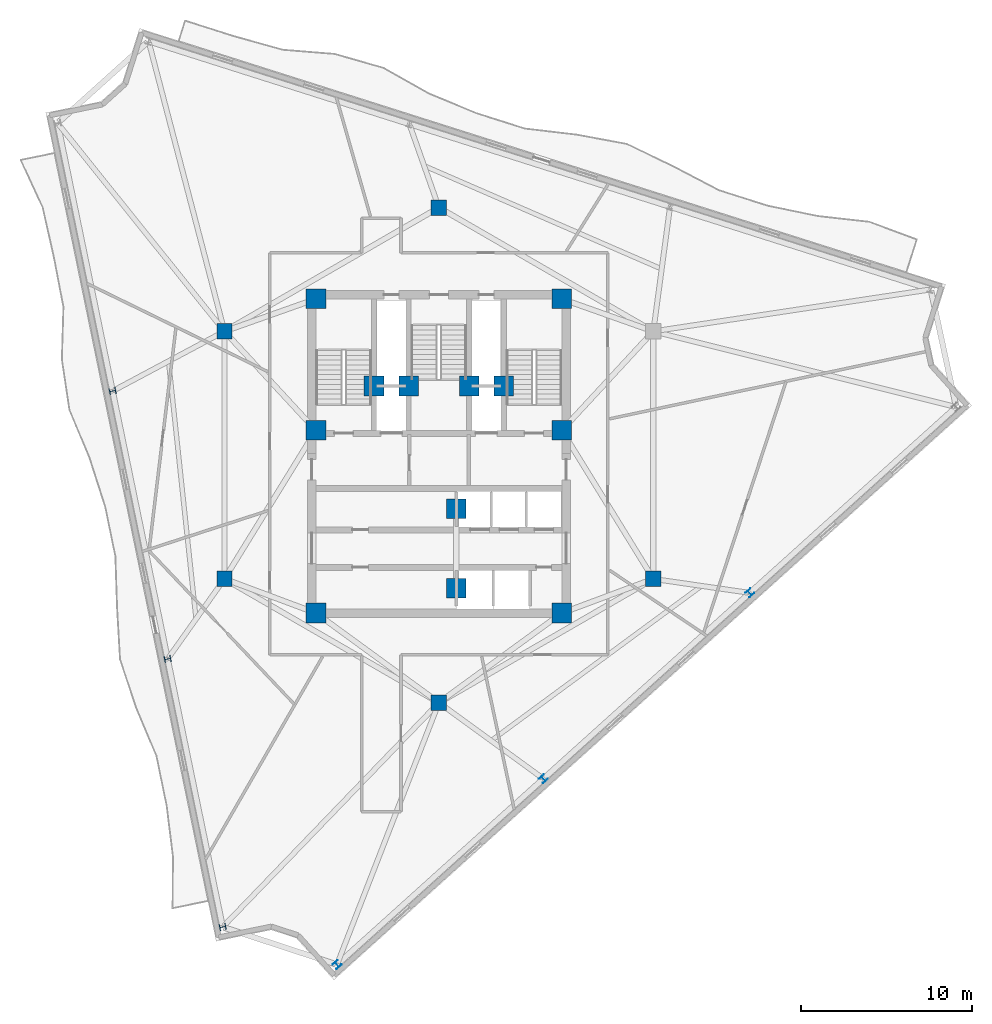
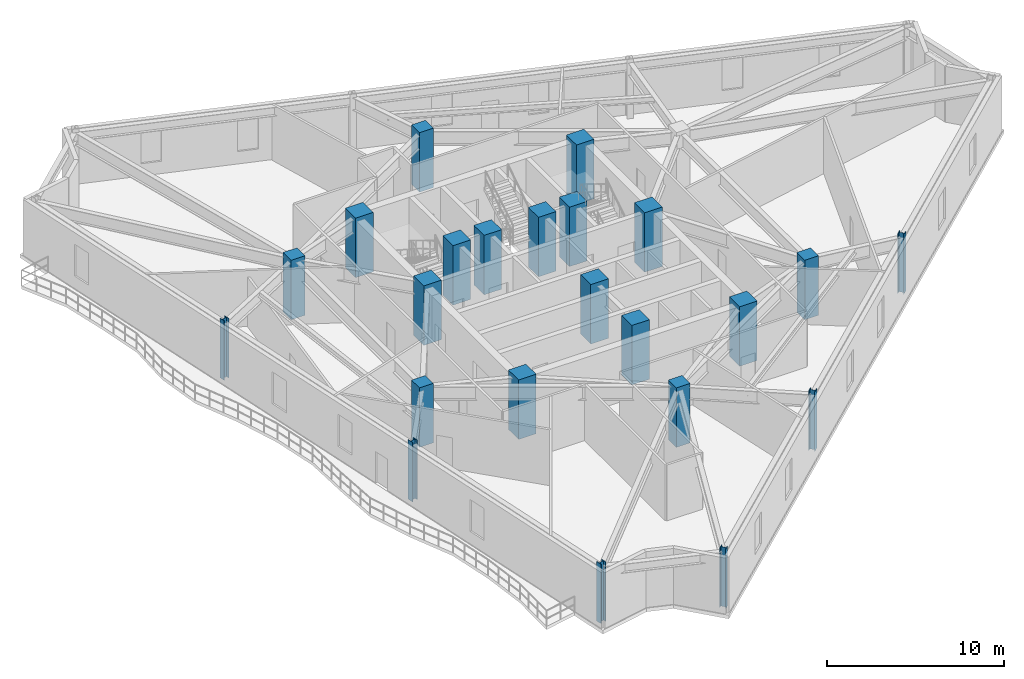
# One storey, part 1 of 11: 23 columns.
"""IFC4 building model written with IfcOpenShell, lengths in metres."""

import ifcopenshell
import ifcopenshell.guid

model = None  # the IFC model being written
_history = None  # IfcOwnerHistory: only IFC2X3 demands one
_inside = {}  # id of a spatial element -> (the spatial element, [elements in it])
_under = {}  # id of a project, library or spatial element -> (it, [spatial elements below it])
_declared = {}  # id of a project -> (the project, [libraries it declares])
_typed = {}  # id of a type object -> (the type object, [elements of that type])
_made_of = {}  # id of a material, layer set ... -> (it, [elements and type objects made of it])


def new_model(schema):
    """Start an empty IFC model of exactly this schema.

    Asked for "IFC4X3", IfcOpenShell would pick the latest addendum, in which some entities
    have other attributes; the version numbers below select the first issue.
    IFC2X3 requires an IfcOwnerHistory on every rooted entity: one is made here for all.
    """
    global model, _history
    if schema == "IFC4X3":
        model = ifcopenshell.file(schema_version=(4, 3, 0, 0))
    else:
        model = ifcopenshell.file(schema=schema)
    _inside.clear()
    _under.clear()
    _declared.clear()
    _typed.clear()
    _made_of.clear()
    _history = None
    if model.schema == "IFC2X3":
        org = make("IfcOrganization", Name="unknown")
        user = make(
            "IfcPersonAndOrganization",
            ThePerson=make("IfcPerson", FamilyName="unknown"),
            TheOrganization=org,
        )
        app = make(
            "IfcApplication",
            ApplicationDeveloper=org,
            Version="unknown",
            ApplicationFullName="unknown",
            ApplicationIdentifier="unknown",
        )
        _history = make(
            "IfcOwnerHistory",
            OwningUser=user,
            OwningApplication=app,
            ChangeAction="ADDED",
            CreationDate=0,
        )
    return model


def make(cls, **values):
    """One entity of the class cls with the attributes given. An attribute that is None is left unset."""
    return model.create_entity(
        cls, **{name: value for name, value in values.items() if value is not None}
    )


def rooted(cls, **values):
    """An entity with a GlobalId (a new one), such as an element, a storey or a relation."""
    return make(cls, GlobalId=ifcopenshell.guid.new(), OwnerHistory=_history, **values)


def si_unit(unit_type, name, prefix=None):
    """IfcSIUnit, for example si_unit("LENGTHUNIT", "METRE", prefix="MILLI")."""
    return make("IfcSIUnit", UnitType=unit_type, Prefix=prefix, Name=name)


def assignment(units):
    """IfcUnitAssignment: the units of a project."""
    return None if units is None else make("IfcUnitAssignment", Units=units)


def point(xyz):
    """IfcCartesianPoint."""
    return None if xyz is None else make("IfcCartesianPoint", Coordinates=xyz)


def direction(xyz):
    """IfcDirection."""
    return None if xyz is None else make("IfcDirection", DirectionRatios=xyz)


def frame(location, z_axis=None, x_axis=None):
    """IfcAxis2Placement3D, a coordinate frame: its origin and axes. An axis left out is left unset."""
    return make(
        "IfcAxis2Placement3D",
        Location=point(location),
        Axis=direction(z_axis),
        RefDirection=direction(x_axis),
    )


def frame_2d(location, x_axis=None):
    """IfcAxis2Placement2D, a coordinate frame in the plane: its origin and x axis."""
    return make(
        "IfcAxis2Placement2D", Location=point(location), RefDirection=direction(x_axis)
    )


def origin():
    """The frame at (0, 0, 0) with its axes left unset."""
    return frame((0.0, 0.0, 0.0))


def origin_2d():
    """The frame at (0, 0) in the plane with its x axis left unset."""
    return frame_2d((0.0, 0.0))


def place(relative_to, where):
    """IfcLocalPlacement: puts the frame where relative to a parent placement (None: the world)."""
    return make(
        "IfcLocalPlacement", PlacementRelTo=relative_to, RelativePlacement=where
    )


def context(
    kind, dimensions, precision=None, world=None, true_north=None, identifier=None
):
    """IfcGeometricRepresentationContext, for example the 3D "Model" context."""
    return make(
        "IfcGeometricRepresentationContext",
        ContextIdentifier=identifier,
        ContextType=kind,
        CoordinateSpaceDimension=dimensions,
        Precision=precision,
        WorldCoordinateSystem=world,
        TrueNorth=true_north,
    )


def subcontext(parent, identifier, kind, view, scale=None):
    """IfcGeometricRepresentationSubContext, for example "Body" below "Model"."""
    return make(
        "IfcGeometricRepresentationSubContext",
        ContextIdentifier=identifier,
        ContextType=kind,
        ParentContext=parent,
        TargetScale=scale,
        TargetView=view,
    )


def project(units=None, contexts=None):
    """IfcProject with its units and contexts."""
    return rooted(
        "IfcProject",
        Name="project",
        RepresentationContexts=contexts,
        UnitsInContext=assignment(units),
    )


def spatial(cls, under=None, at=None, **own):
    """A site, building, storey or space (cls), placed at a placement, below another one or the project."""
    s = rooted(cls, ObjectPlacement=at, **own)
    if under is not None:
        _under.setdefault(under.id(), (under, []))[1].append(s)
    return s


def profile(cls, at=None, kind="AREA", **sizes):
    """A parametric profile (cls). Its sizes go by their IFC names, for example OverallWidth=200.0."""
    return make(cls, ProfileType=kind, Position=at, **sizes)


def rectangle(**sizes):
    """IfcRectangleProfileDef."""
    return profile("IfcRectangleProfileDef", **sizes)


def i_section(**sizes):
    """IfcIShapeProfileDef."""
    return profile("IfcIShapeProfileDef", **sizes)


def extrude(swept, where, along, depth):
    """IfcExtrudedAreaSolid: the profile swept, set in the frame where, extruded along a direction by depth."""
    return make(
        "IfcExtrudedAreaSolid",
        SweptArea=swept,
        Position=where,
        ExtrudedDirection=direction(along),
        Depth=depth,
    )


def shape(context_of_items, identifier, shape_type, items):
    """IfcShapeRepresentation: the items that make up one representation, for example the "Body"."""
    return make(
        "IfcShapeRepresentation",
        ContextOfItems=context_of_items,
        RepresentationIdentifier=identifier,
        RepresentationType=shape_type,
        Items=items,
    )


def material(Name=None, Category=None):
    """IfcMaterial."""
    return make("IfcMaterial", Name=Name, Category=Category)


def material_profile(
    of_material, cross_section, Name=None, Category=None, Priority=None
):
    """IfcMaterialProfile: a cross section and its material."""
    return make(
        "IfcMaterialProfile",
        Name=Name,
        Material=of_material,
        Profile=cross_section,
        Priority=Priority,
        Category=Category,
    )


def profile_set(profiles, Name=None, composite=None):
    """IfcMaterialProfileSet."""
    return make(
        "IfcMaterialProfileSet",
        Name=Name,
        MaterialProfiles=profiles,
        CompositeProfile=composite,
    )


def made_of(thing, what):
    """Note that an element or type object is made of a material, layer set ...; save() writes the relation."""
    if what is not None:
        _made_of.setdefault(what.id(), (what, []))[1].append(thing)
    return thing


def type_object(cls, material=None, **own):
    """A type object (cls), such as IfcWallType, which elements share."""
    return made_of(rooted(cls, **own), material)


def element(
    cls,
    number,
    at=None,
    inside=None,
    cuts=None,
    type_object=None,
    material=None,
    context=None,
    identifier="Body",
    shape_type=None,
    held_by="IfcProductDefinitionShape",
    body=None,
    shapes=None,
    **own,
):
    """One element of the class cls, such as IfcWall. Its Tag is "e" and its number.

    at: its placement. inside: the storey or other place that contains it. cuts: it is an
    opening in that element (IfcRelVoidsElement). A single representation is given by context,
    identifier, shape_type and body (its items); several are given by shapes. held_by: the class
    of the entity that holds the representations. save() writes the other relations.
    """
    e = rooted(cls, Tag="e%d" % number, ObjectPlacement=at, **own)
    if body is not None:
        shapes = [shape(context, identifier, shape_type, body)]
    if shapes is not None:
        e.Representation = make(held_by, Representations=shapes)
    if inside is not None:
        _inside.setdefault(inside.id(), (inside, []))[1].append(e)
    if cuts is not None:
        rooted(
            "IfcRelVoidsElement", RelatingBuildingElement=cuts, RelatedOpeningElement=e
        )
    if type_object is not None:
        _typed.setdefault(type_object.id(), (type_object, []))[1].append(e)
    return made_of(e, material)


def aggregate(whole, parts):
    """IfcRelAggregates: a whole, such as a stair, and the parts it consists of."""
    return rooted("IfcRelAggregates", RelatingObject=whole, RelatedObjects=parts)


def save(model, path):
    """Write the relations noted so far, then the file.

    IfcRelAggregates (storeys below a building ...), IfcRelContainedInSpatialStructure (elements
    in a storey), IfcRelDefinesByType, IfcRelAssociatesMaterial and IfcRelDeclares: one each for
    every whole, place, type object, material and project.
    """
    for whole, parts in _under.values():
        aggregate(whole, parts)
    for where, things in _inside.values():
        rooted(
            "IfcRelContainedInSpatialStructure",
            RelatedElements=things,
            RelatingStructure=where,
        )
    for kind, things in _typed.values():
        rooted("IfcRelDefinesByType", RelatedObjects=things, RelatingType=kind)
    for what, things in _made_of.values():
        rooted("IfcRelAssociatesMaterial", RelatedObjects=things, RelatingMaterial=what)
    for by, libraries in _declared.values():
        rooted("IfcRelDeclares", RelatingContext=by, RelatedDefinitions=libraries)
    model.write(path)


model = new_model("IFC4")

# Units and contexts
model_context = context("Model", 3, precision=1e-05, world=origin(), true_north=direction((0.0, 1.0)))
body_context = subcontext(model_context, "Body", "Model", "MODEL_VIEW")
ifc_project = project(units=[si_unit("LENGTHUNIT", "METRE"), si_unit("AREAUNIT", "SQUARE_METRE"), si_unit("VOLUMEUNIT", "CUBIC_METRE"), si_unit("PLANEANGLEUNIT", "RADIAN"), si_unit("MASSUNIT", "GRAM", prefix="KILO")], contexts=[model_context])

# Site, building, storey
site_placement = place(None, origin())
site = spatial("IfcSite", under=ifc_project, at=site_placement, CompositionType="ELEMENT")
building_placement = place(site_placement, origin())
building = spatial("IfcBuilding", under=site, at=building_placement, Name="Apsidion Concourse Tower", CompositionType="ELEMENT")
storey_placement = place(building_placement, frame((0.0, 0.0, 252.699951171875)))
storey = spatial("IfcBuildingStorey", under=building, at=storey_placement, Name="L59", CompositionType="ELEMENT", Elevation=252.699951171875)

# Columns
ifc_material_1 = material(Name="Concrete C50/60", Category="concrete")
ifc_material_profile_1 = material_profile(ifc_material_1, rectangle(XDim=1.14990234375, YDim=1.14990234375, at=origin_2d()), Name="RC 1150x1150")
ifc_profile_set_1 = profile_set([ifc_material_profile_1], Name="Concrete C50/60")
column_type_1 = type_object("IfcColumnType", Name="COL-RC-1150", PredefinedType="COLUMN", material=ifc_profile_set_1)
for number, where, z_axis, x_axis, name in (
    (1, (-7.199951171875, -9.25, 0.0), (0.0, 0.0, 1.0), (1.0, 0.0, 0.0), "L59 Core Super-Column SC1"),
    (2, (7.199951171875, -9.25, 0.0), (0.0, 0.0, 1.0), (1.0, 0.0, 0.0), "L59 Core Super-Column SC2"),
    (3, (7.199951171875, 1.449951171875, 0.0), (0.0, 0.0, 1.0), (1.0, 0.0, 0.0), "L59 Core Super-Column SC3"),
    (4, (7.199951171875, 9.14990234375, 0.0), (0.0, 0.0, 1.0), (1.0, 0.0, 0.0), "L59 Core Super-Column SC4"),
    (5, (-7.199951171875, 9.14990234375, 0.0), (0.0, 0.0, 1.0), (1.0, 0.0, 0.0), "L59 Core Super-Column SC5"),
    (6, (-7.199951171875, 1.449951171875, 0.0), (0.0, 0.0, 1.0), (1.0, 0.0, 0.0), "L59 Core Super-Column SC6"),
    (7, (-3.800048828125, 4.050048828125, 0.0), (0.0, 0.0, 1.0), (1.0, 0.0, 0.0), "L59 Core Super-Column CC1"),
    (8, (3.800048828125, 4.050048828125, 0.0), (0.0, 0.0, 1.0), (1.0, 0.0, 0.0), "L59 Core Super-Column CC2"),
    (9, (-1.77490234375, 4.050048828125, 0.0), (0.0, 0.0, 1.0), (1.0, 0.0, 0.0), "L59 Core Super-Column CC3"),
    (10, (1.77490234375, 4.050048828125, 0.0), (0.0, 0.0, 1.0), (1.0, 0.0, 0.0), "L59 Core Super-Column CC4"),
    (11, (1.02490234375, -3.14990234375, 0.0), (0.0, 0.0, 1.0), (1.0, 0.0, 0.0), "L59 Core Super-Column CC5"),
    (12, (1.02490234375, -7.800048828125, 0.0), (0.0, 0.0, 1.0), (1.0, 0.0, 0.0), "L59 Core Super-Column CC6"),
):
    element("IfcColumn", number, at=place(storey_placement, frame(where, z_axis=z_axis, x_axis=x_axis)), inside=storey, type_object=column_type_1, Name=name, PredefinedType="COLUMN", context=body_context, shape_type="SweptSolid", body=[
        extrude(rectangle(XDim=1.14990234375, YDim=1.14990234375, at=origin_2d()), origin(), (0.0, 0.0, 1.0), 4.10009765625),
    ])
ifc_material_profile_2 = material_profile(ifc_material_1, rectangle(XDim=0.89990234375, YDim=0.89990234375, at=origin_2d()), Name="RC 900x900")
ifc_profile_set_2 = profile_set([ifc_material_profile_2], Name="Concrete C50/60")
column_type_2 = type_object("IfcColumnType", Name="COL-RC-900", PredefinedType="COLUMN", material=ifc_profile_set_2)
for number, where, z_axis, x_axis, name in (
    (13, (-12.56005859375, -7.25, 0.0), (0.0, 0.0, 1.0), (1.0, 0.0, 0.0), "L59 Interior Spine Column IC1"),
    (14, (12.56005859375, -7.25, 0.0), (0.0, 0.0, 1.0), (1.0, 0.0, 0.0), "L59 Interior Spine Column IC2"),
    (15, (0.0, 14.5, 0.0), (0.0, 0.0, 1.0), (1.0, 0.0, 0.0), "L59 Interior Spine Column IC4"),
    (16, (-12.56005859375, 7.25, 0.0), (0.0, 0.0, 1.0), (1.0, 0.0, 0.0), "L59 Interior Spine Column IC5"),
    (17, (0.0, -14.5, 0.0), (0.0, 0.0, 1.0), (1.0, 0.0, 0.0), "L59 Interior Spine Column IC6"),
):
    element("IfcColumn", number, at=place(storey_placement, frame(where, z_axis=z_axis, x_axis=x_axis)), inside=storey, type_object=column_type_2, Name=name, PredefinedType="COLUMN", context=body_context, shape_type="SweptSolid", body=[
        extrude(rectangle(XDim=0.89990234375, YDim=0.89990234375, at=origin_2d()), origin(), (0.0, 0.0, 1.0), 4.10009765625),
    ])
ifc_material_2 = material(Name="Structural steel ASTM A992 Grade 50", Category="steel")
ifc_material_profile_3 = material_profile(ifc_material_2, i_section(OverallWidth=0.373046875, OverallDepth=0.373046875, WebThickness=0.016357421875, FlangeThickness=0.026123046875, at=origin_2d()), Name="W14X132")
ifc_profile_set_3 = profile_set([ifc_material_profile_3], Name="Structural steel ASTM A992 Grade 50")
column_type_3 = type_object("IfcColumnType", Name="COL-W14-132", PredefinedType="COLUMN", material=ifc_profile_set_3)
for number, where, z_axis, x_axis, name in (
    (18, (-19.11279296875, 3.75146484375, 0.0), (0.0, 0.0, 1.0), (-0.201248886216, 0.979540139962, 0.0), "L59 Rotated Perimeter Column PC02"),
    (19, (-15.888671875, -11.94384765625, 0.0), (0.0, 0.0, 1.0), (-0.201248886216, 0.979540139962, 0.0), "L59 Rotated Perimeter Column PC03"),
    (20, (-12.664306640625, -27.63916015625, 0.0), (0.0, 0.0, 1.0), (-0.201248886216, 0.979540139962, 0.0), "L59 Rotated Perimeter Column PC04"),
    (21, (-5.967529296875, -29.840087890625, 0.0), (0.0, 0.0, 1.0), (0.743144825477, 0.669130606359, 0.0), "L59 Rotated Perimeter Column PC05"),
    (22, (6.121826171875, -18.954833984375, 0.0), (0.0, 0.0, 1.0), (0.743144825477, 0.669130606359, 0.0), "L59 Rotated Perimeter Column PC06"),
    (23, (18.211181640625, -8.069580078125, 0.0), (0.0, 0.0, 1.0), (0.743144825477, 0.669130606359, 0.0), "L59 Rotated Perimeter Column PC07"),
):
    element("IfcColumn", number, at=place(storey_placement, frame(where, z_axis=z_axis, x_axis=x_axis)), inside=storey, type_object=column_type_3, Name=name, PredefinedType="COLUMN", context=body_context, shape_type="SweptSolid", body=[
        extrude(i_section(OverallWidth=0.373046875, OverallDepth=0.373046875, WebThickness=0.016357421875, FlangeThickness=0.026123046875, at=origin_2d()), origin(), (0.0, 0.0, 1.0), 4.10009765625),
    ])

save(model, "model.ifc")
